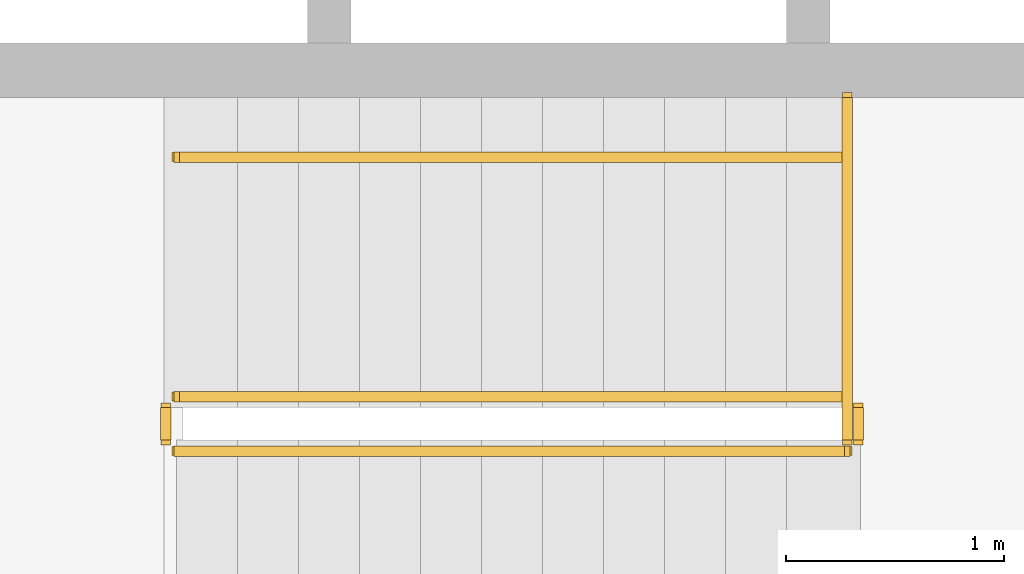
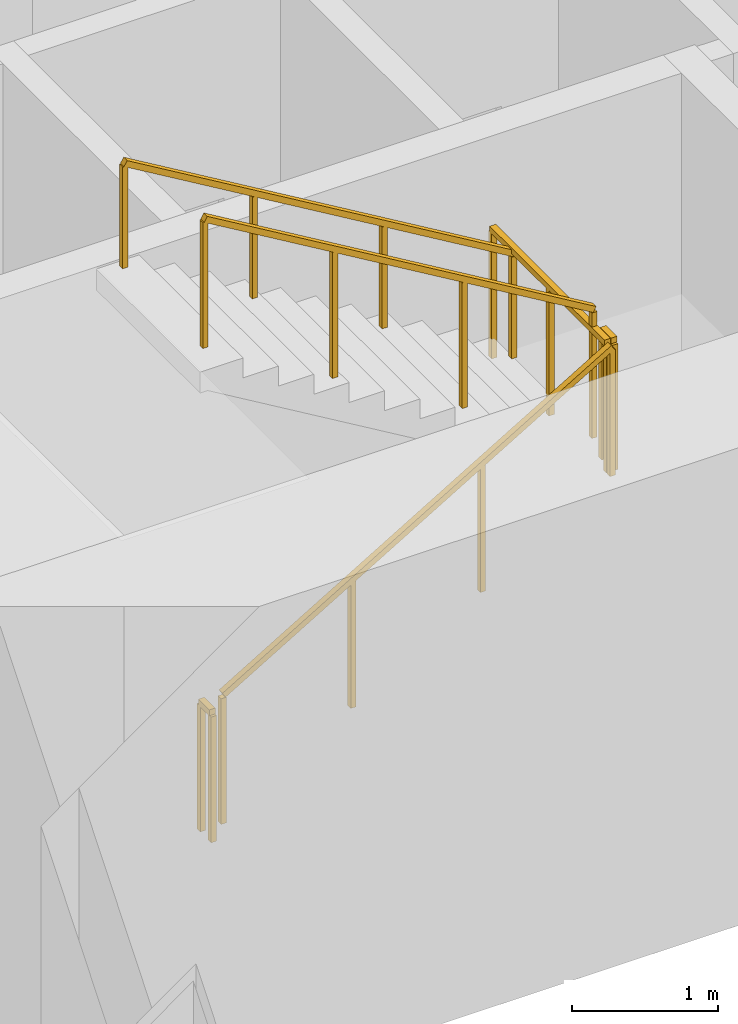
# One storey, part 13 of 16: 6 railings.
"""IFC4 building model written with IfcOpenShell, lengths in metres."""

import ifcopenshell
import ifcopenshell.guid

model = None  # the IFC model being written
_history = None  # IfcOwnerHistory: only IFC2X3 demands one
_inside = {}  # id of a spatial element -> (the spatial element, [elements in it])
_under = {}  # id of a project, library or spatial element -> (it, [spatial elements below it])
_declared = {}  # id of a project -> (the project, [libraries it declares])
_typed = {}  # id of a type object -> (the type object, [elements of that type])
_made_of = {}  # id of a material, layer set ... -> (it, [elements and type objects made of it])


def new_model(schema):
    """Start an empty IFC model of exactly this schema.

    Asked for "IFC4X3", IfcOpenShell would pick the latest addendum, in which some entities
    have other attributes; the version numbers below select the first issue.
    IFC2X3 requires an IfcOwnerHistory on every rooted entity: one is made here for all.
    """
    global model, _history
    if schema == "IFC4X3":
        model = ifcopenshell.file(schema_version=(4, 3, 0, 0))
    else:
        model = ifcopenshell.file(schema=schema)
    _inside.clear()
    _under.clear()
    _declared.clear()
    _typed.clear()
    _made_of.clear()
    _history = None
    if model.schema == "IFC2X3":
        org = make("IfcOrganization", Name="unknown")
        user = make(
            "IfcPersonAndOrganization",
            ThePerson=make("IfcPerson", FamilyName="unknown"),
            TheOrganization=org,
        )
        app = make(
            "IfcApplication",
            ApplicationDeveloper=org,
            Version="unknown",
            ApplicationFullName="unknown",
            ApplicationIdentifier="unknown",
        )
        _history = make(
            "IfcOwnerHistory",
            OwningUser=user,
            OwningApplication=app,
            ChangeAction="ADDED",
            CreationDate=0,
        )
    return model


def make(cls, **values):
    """One entity of the class cls with the attributes given. An attribute that is None is left unset."""
    return model.create_entity(
        cls, **{name: value for name, value in values.items() if value is not None}
    )


def rooted(cls, **values):
    """An entity with a GlobalId (a new one), such as an element, a storey or a relation."""
    return make(cls, GlobalId=ifcopenshell.guid.new(), OwnerHistory=_history, **values)


def si_unit(unit_type, name, prefix=None):
    """IfcSIUnit, for example si_unit("LENGTHUNIT", "METRE", prefix="MILLI")."""
    return make("IfcSIUnit", UnitType=unit_type, Prefix=prefix, Name=name)


def assignment(units):
    """IfcUnitAssignment: the units of a project."""
    return None if units is None else make("IfcUnitAssignment", Units=units)


def point(xyz):
    """IfcCartesianPoint."""
    return None if xyz is None else make("IfcCartesianPoint", Coordinates=xyz)


def direction(xyz):
    """IfcDirection."""
    return None if xyz is None else make("IfcDirection", DirectionRatios=xyz)


def frame(location, z_axis=None, x_axis=None):
    """IfcAxis2Placement3D, a coordinate frame: its origin and axes. An axis left out is left unset."""
    return make(
        "IfcAxis2Placement3D",
        Location=point(location),
        Axis=direction(z_axis),
        RefDirection=direction(x_axis),
    )


def frame_2d(location, x_axis=None):
    """IfcAxis2Placement2D, a coordinate frame in the plane: its origin and x axis."""
    return make(
        "IfcAxis2Placement2D", Location=point(location), RefDirection=direction(x_axis)
    )


def origin():
    """The frame at (0, 0, 0) with its axes left unset."""
    return frame((0.0, 0.0, 0.0))


def origin_2d():
    """The frame at (0, 0) in the plane with its x axis left unset."""
    return frame_2d((0.0, 0.0))


def place(relative_to, where):
    """IfcLocalPlacement: puts the frame where relative to a parent placement (None: the world)."""
    return make(
        "IfcLocalPlacement", PlacementRelTo=relative_to, RelativePlacement=where
    )


def context(
    kind, dimensions, precision=None, world=None, true_north=None, identifier=None
):
    """IfcGeometricRepresentationContext, for example the 3D "Model" context."""
    return make(
        "IfcGeometricRepresentationContext",
        ContextIdentifier=identifier,
        ContextType=kind,
        CoordinateSpaceDimension=dimensions,
        Precision=precision,
        WorldCoordinateSystem=world,
        TrueNorth=true_north,
    )


def subcontext(parent, identifier, kind, view, scale=None):
    """IfcGeometricRepresentationSubContext, for example "Body" below "Model"."""
    return make(
        "IfcGeometricRepresentationSubContext",
        ContextIdentifier=identifier,
        ContextType=kind,
        ParentContext=parent,
        TargetScale=scale,
        TargetView=view,
    )


def project(units=None, contexts=None):
    """IfcProject with its units and contexts."""
    return rooted(
        "IfcProject",
        Name="project",
        RepresentationContexts=contexts,
        UnitsInContext=assignment(units),
    )


def spatial(cls, under=None, at=None, **own):
    """A site, building, storey or space (cls), placed at a placement, below another one or the project."""
    s = rooted(cls, ObjectPlacement=at, **own)
    if under is not None:
        _under.setdefault(under.id(), (under, []))[1].append(s)
    return s


def profile(cls, at=None, kind="AREA", **sizes):
    """A parametric profile (cls). Its sizes go by their IFC names, for example OverallWidth=200.0."""
    return make(cls, ProfileType=kind, Position=at, **sizes)


def rectangle(**sizes):
    """IfcRectangleProfileDef."""
    return profile("IfcRectangleProfileDef", **sizes)


def extrude(swept, where, along, depth):
    """IfcExtrudedAreaSolid: the profile swept, set in the frame where, extruded along a direction by depth."""
    return make(
        "IfcExtrudedAreaSolid",
        SweptArea=swept,
        Position=where,
        ExtrudedDirection=direction(along),
        Depth=depth,
    )


def shape(context_of_items, identifier, shape_type, items):
    """IfcShapeRepresentation: the items that make up one representation, for example the "Body"."""
    return make(
        "IfcShapeRepresentation",
        ContextOfItems=context_of_items,
        RepresentationIdentifier=identifier,
        RepresentationType=shape_type,
        Items=items,
    )


def material(Name=None, Category=None):
    """IfcMaterial."""
    return make("IfcMaterial", Name=Name, Category=Category)


def made_of(thing, what):
    """Note that an element or type object is made of a material, layer set ...; save() writes the relation."""
    if what is not None:
        _made_of.setdefault(what.id(), (what, []))[1].append(thing)
    return thing


def type_object(cls, material=None, **own):
    """A type object (cls), such as IfcWallType, which elements share."""
    return made_of(rooted(cls, **own), material)


def element(
    cls,
    number,
    at=None,
    inside=None,
    cuts=None,
    type_object=None,
    material=None,
    context=None,
    identifier="Body",
    shape_type=None,
    held_by="IfcProductDefinitionShape",
    body=None,
    shapes=None,
    **own,
):
    """One element of the class cls, such as IfcWall. Its Tag is "e" and its number.

    at: its placement. inside: the storey or other place that contains it. cuts: it is an
    opening in that element (IfcRelVoidsElement). A single representation is given by context,
    identifier, shape_type and body (its items); several are given by shapes. held_by: the class
    of the entity that holds the representations. save() writes the other relations.
    """
    e = rooted(cls, Tag="e%d" % number, ObjectPlacement=at, **own)
    if body is not None:
        shapes = [shape(context, identifier, shape_type, body)]
    if shapes is not None:
        e.Representation = make(held_by, Representations=shapes)
    if inside is not None:
        _inside.setdefault(inside.id(), (inside, []))[1].append(e)
    if cuts is not None:
        rooted(
            "IfcRelVoidsElement", RelatingBuildingElement=cuts, RelatedOpeningElement=e
        )
    if type_object is not None:
        _typed.setdefault(type_object.id(), (type_object, []))[1].append(e)
    return made_of(e, material)


def aggregate(whole, parts):
    """IfcRelAggregates: a whole, such as a stair, and the parts it consists of."""
    return rooted("IfcRelAggregates", RelatingObject=whole, RelatedObjects=parts)


def save(model, path):
    """Write the relations noted so far, then the file.

    IfcRelAggregates (storeys below a building ...), IfcRelContainedInSpatialStructure (elements
    in a storey), IfcRelDefinesByType, IfcRelAssociatesMaterial and IfcRelDeclares: one each for
    every whole, place, type object, material and project.
    """
    for whole, parts in _under.values():
        aggregate(whole, parts)
    for where, things in _inside.values():
        rooted(
            "IfcRelContainedInSpatialStructure",
            RelatedElements=things,
            RelatingStructure=where,
        )
    for kind, things in _typed.values():
        rooted("IfcRelDefinesByType", RelatedObjects=things, RelatingType=kind)
    for what, things in _made_of.values():
        rooted("IfcRelAssociatesMaterial", RelatedObjects=things, RelatingMaterial=what)
    for by, libraries in _declared.values():
        rooted("IfcRelDeclares", RelatingContext=by, RelatedDefinitions=libraries)
    model.write(path)


model = new_model("IFC4")

# Units and contexts
model_context = context("Model", 3, precision=1e-05, world=origin(), true_north=direction((0.0, 1.0)))
body_context = subcontext(model_context, "Body", "Model", "MODEL_VIEW")
ifc_project = project(units=[si_unit("LENGTHUNIT", "METRE"), si_unit("AREAUNIT", "SQUARE_METRE"), si_unit("VOLUMEUNIT", "CUBIC_METRE"), si_unit("PLANEANGLEUNIT", "RADIAN"), si_unit("MASSUNIT", "GRAM", prefix="KILO")], contexts=[model_context])

# Site, building, storey
site_placement = place(None, origin())
site = spatial("IfcSite", under=ifc_project, at=site_placement, CompositionType="ELEMENT")
building_placement = place(site_placement, origin())
building = spatial("IfcBuilding", under=site, at=building_placement, Name="Sennacour Bend Tower", CompositionType="ELEMENT")
storey_placement = place(building_placement, frame((0.0, 0.0, 103.0)))
storey = spatial("IfcBuildingStorey", under=building, at=storey_placement, Name="L23", CompositionType="ELEMENT", Elevation=103.0)

# Railings
ifc_material = material(Name="Stainless steel", Category="steel")
railing_type_1 = type_object("IfcRailingType", Name="RL-GUARD-1100", PredefinedType="GUARDRAIL", material=ifc_material)
railing_1_placement = place(storey_placement, frame((56.699951171875, 2.449951171875, 0.166748046875)))
element("IfcRailing", 1, at=railing_1_placement, inside=storey, type_object=railing_type_1, Name="L23 SA1 stair guard 1", PredefinedType="GUARDRAIL", context=body_context, shape_type="SweptSolid", body=[
    extrude(rectangle(XDim=0.048095703125, YDim=0.048095703125, at=origin_2d()), frame((0.0, 0.0, 1.076171875), z_axis=(0.859308565015, 0.0, 0.511457515432), x_axis=(0.0, 1.0, 0.0)), (0.0, 0.0, 1.0), 3.58447265625),
    extrude(rectangle(XDim=0.0419921875, YDim=0.0419921875, at=origin_2d()), origin(), (0.0, 0.0, 1.0), 1.052001953125),
    extrude(rectangle(XDim=0.0419921875, YDim=0.0419921875, at=origin_2d()), frame((1.026611328125, 0.0, 0.611083984375)), (0.0, 0.0, 1.0), 1.052001953125),
    extrude(rectangle(XDim=0.0419921875, YDim=0.0419921875, at=origin_2d()), frame((2.053466796875, 0.0, 1.22216796875)), (0.0, 0.0, 1.0), 1.052001953125),
    extrude(rectangle(XDim=0.0419921875, YDim=0.0419921875, at=origin_2d()), frame((3.080078125, 0.0, 1.833251953125)), (0.0, 0.0, 1.0), 1.052001953125),
])
railing_2_placement = place(storey_placement, frame((59.830078125, 2.5, 2.0)))
element("IfcRailing", 2, at=railing_2_placement, inside=storey, type_object=railing_type_1, Name="L23 SA1 stair guard 2", PredefinedType="GUARDRAIL", context=body_context, shape_type="SweptSolid", body=[
    extrude(rectangle(XDim=0.048095703125, YDim=0.048095703125, at=origin_2d()), frame((0.0, 0.0, 1.076171875), z_axis=(0.0, 1.0, 0.0), x_axis=(-1.0, 0.0, 0.0)), (0.0, 0.0, 1.0), 0.14990234375),
    extrude(rectangle(XDim=0.0419921875, YDim=0.0419921875, at=origin_2d()), origin(), (0.0, 0.0, 1.0), 1.052001953125),
    extrude(rectangle(XDim=0.0419921875, YDim=0.0419921875, at=origin_2d()), frame((0.0, 0.14990234375, 0.0)), (0.0, 0.0, 1.0), 1.052001953125),
])
railing_3_placement = place(storey_placement, frame((59.780029296875, 2.699951171875, 2.166748046875)))
element("IfcRailing", 3, at=railing_3_placement, inside=storey, type_object=railing_type_1, Name="L23 SA1 stair guard 4", PredefinedType="GUARDRAIL", context=body_context, shape_type="SweptSolid", body=[
    extrude(rectangle(XDim=0.048095703125, YDim=0.048095703125, at=origin_2d()), frame((0.0, 0.0, 1.076171875), z_axis=(-0.859308565015, 0.0, 0.511457515432), x_axis=(0.0, -1.0, 0.0)), (0.0, 0.0, 1.0), 3.58447265625),
    extrude(rectangle(XDim=0.0419921875, YDim=0.0419921875, at=origin_2d()), origin(), (0.0, 0.0, 1.0), 1.052001953125),
    extrude(rectangle(XDim=0.0419921875, YDim=0.0419921875, at=origin_2d()), frame((-1.026611328125, 0.0, 0.611083984375)), (0.0, 0.0, 1.0), 1.052001953125),
    extrude(rectangle(XDim=0.0419921875, YDim=0.0419921875, at=origin_2d()), frame((-2.053466796875, 0.0, 1.22216796875)), (0.0, 0.0, 1.0), 1.052001953125),
    extrude(rectangle(XDim=0.0419921875, YDim=0.0419921875, at=origin_2d()), frame((-3.080078125, 0.0, 1.833251953125)), (0.0, 0.0, 1.0), 1.052001953125),
])
railing_4_placement = place(storey_placement, frame((56.64990234375, 2.5, 0.0)))
element("IfcRailing", 4, at=railing_4_placement, inside=storey, type_object=railing_type_1, Name="L23 SA1 stair guard 5", PredefinedType="GUARDRAIL", context=body_context, shape_type="SweptSolid", body=[
    extrude(rectangle(XDim=0.048095703125, YDim=0.048095703125, at=origin_2d()), frame((0.0, 0.0, 1.076171875), z_axis=(0.0, 1.0, 0.0), x_axis=(-1.0, 0.0, 0.0)), (0.0, 0.0, 1.0), 0.14990234375),
    extrude(rectangle(XDim=0.0419921875, YDim=0.0419921875, at=origin_2d()), origin(), (0.0, 0.0, 1.0), 1.052001953125),
    extrude(rectangle(XDim=0.0419921875, YDim=0.0419921875, at=origin_2d()), frame((0.0, 0.14990234375, 0.0)), (0.0, 0.0, 1.0), 1.052001953125),
])
railing_5_placement = place(storey_placement, frame((59.780029296875, 2.5, 2.0)))
element("IfcRailing", 5, at=railing_5_placement, inside=storey, type_object=railing_type_1, Name="L23 SA1 landing edge guard 41", PredefinedType="GUARDRAIL", context=body_context, shape_type="SweptSolid", body=[
    extrude(rectangle(XDim=0.048095703125, YDim=0.048095703125, at=origin_2d()), frame((0.0, 0.0, 1.076171875), z_axis=(0.0, 1.0, 0.0), x_axis=(-1.0, 0.0, 0.0)), (0.0, 0.0, 1.0), 1.574951171875),
    extrude(rectangle(XDim=0.0419921875, YDim=0.0419921875, at=origin_2d()), origin(), (0.0, 0.0, 1.0), 1.052001953125),
    extrude(rectangle(XDim=0.0419921875, YDim=0.0419921875, at=origin_2d()), frame((0.0, 0.78759765625, 0.0)), (0.0, 0.0, 1.0), 1.052001953125),
    extrude(rectangle(XDim=0.0419921875, YDim=0.0419921875, at=origin_2d()), frame((0.0, 1.574951171875, 0.0)), (0.0, 0.0, 1.0), 1.052001953125),
])
railing_type_2 = type_object("IfcRailingType", Name="RL-HANDRAIL-900", PredefinedType="HANDRAIL", material=ifc_material)
railing_6_placement = place(storey_placement, frame((59.780029296875, 3.800048828125, 2.166748046875)))
element("IfcRailing", 6, at=railing_6_placement, inside=storey, type_object=railing_type_2, Name="L23 SA1 stair handrail 2", PredefinedType="HANDRAIL", context=body_context, shape_type="SweptSolid", body=[
    extrude(rectangle(XDim=0.048095703125, YDim=0.048095703125, at=origin_2d()), frame((0.0, 0.0, 0.8759765625), z_axis=(-0.859308565015, 0.0, 0.511457515432), x_axis=(0.0, -1.0, 0.0)), (0.0, 0.0, 1.0), 3.58447265625),
    extrude(rectangle(XDim=0.0419921875, YDim=0.0419921875, at=origin_2d()), origin(), (0.0, 0.0, 1.0), 0.851806640625),
    extrude(rectangle(XDim=0.0419921875, YDim=0.0419921875, at=origin_2d()), frame((-1.026611328125, 0.0, 0.611083984375)), (0.0, 0.0, 1.0), 0.851806640625),
    extrude(rectangle(XDim=0.0419921875, YDim=0.0419921875, at=origin_2d()), frame((-2.053466796875, 0.0, 1.22216796875)), (0.0, 0.0, 1.0), 0.851806640625),
    extrude(rectangle(XDim=0.0419921875, YDim=0.0419921875, at=origin_2d()), frame((-3.080078125, 0.0, 1.833251953125)), (0.0, 0.0, 1.0), 0.851806640625),
])

save(model, "model.ifc")
